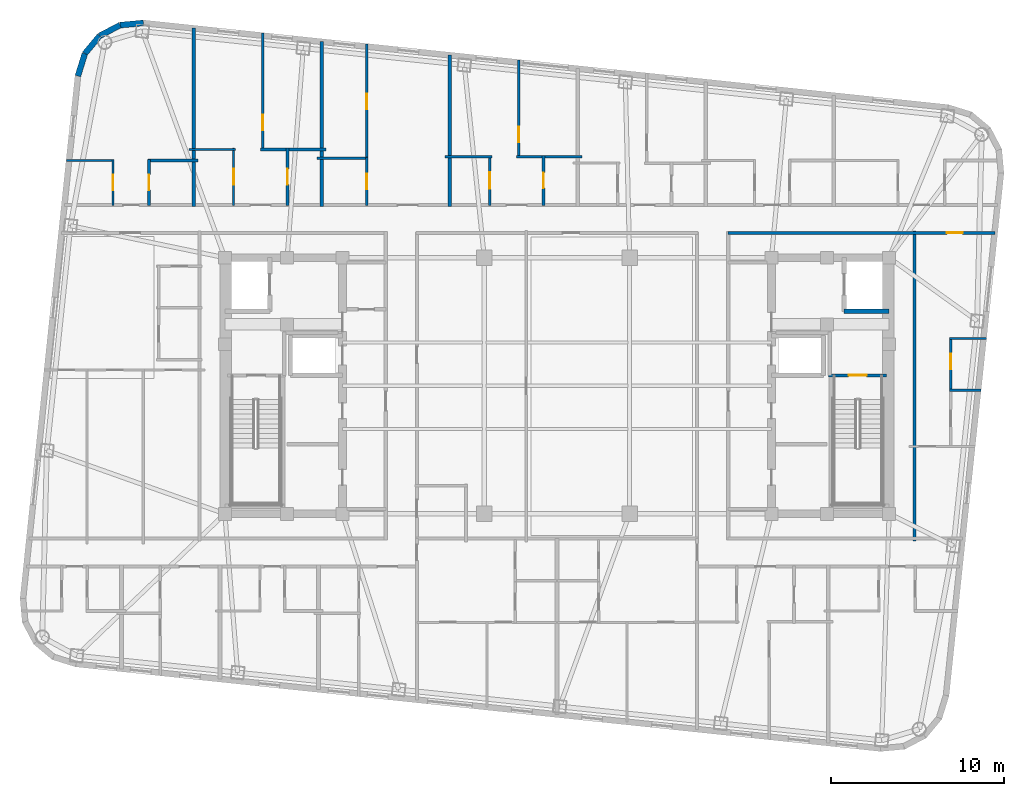
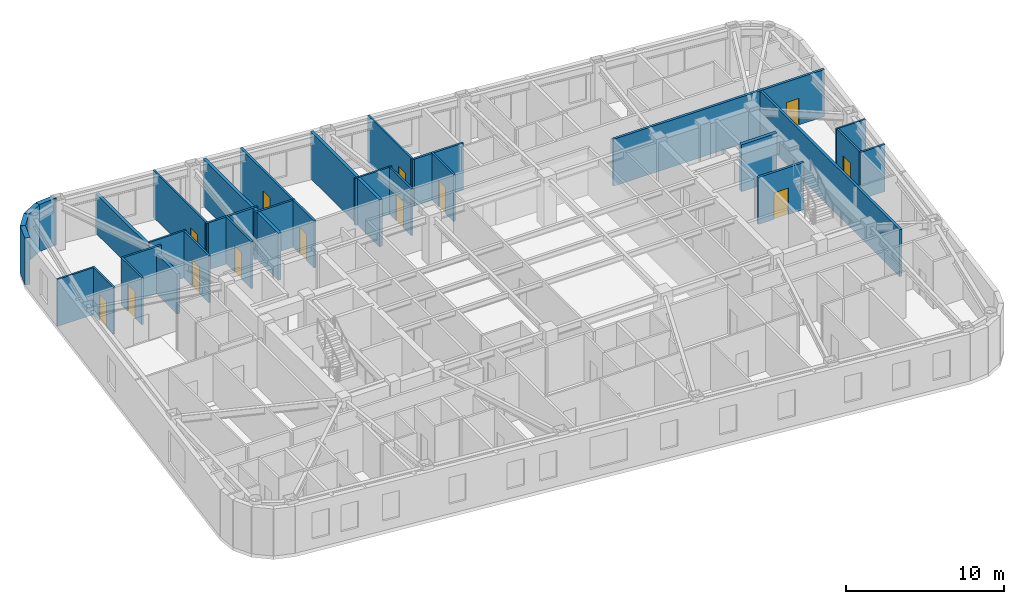
# One storey, part 7 of 11: 31 walls, 13 doors, 13 openings.
"""IFC4 building model written with IfcOpenShell, lengths in metres."""

from ifc_helpers import new_model, si_unit, direction, frame, frame_2d, origin, place, context, subcontext, project, spatial, rectangle, extrude, material, layer, layer_set, type_object, element, fill, save


model = new_model("IFC4")

# Units and contexts
model_context = context("Model", 3, precision=1e-05, world=origin(), true_north=direction((0.0, 1.0)))
body_context = subcontext(model_context, "Body", "Model", "MODEL_VIEW")
ifc_project = project(units=[si_unit("LENGTHUNIT", "METRE"), si_unit("AREAUNIT", "SQUARE_METRE"), si_unit("VOLUMEUNIT", "CUBIC_METRE"), si_unit("PLANEANGLEUNIT", "RADIAN"), si_unit("MASSUNIT", "GRAM", prefix="KILO")], contexts=[model_context])

# Site, building, storey
site_placement = place(None, origin())
site = spatial("IfcSite", under=ifc_project, at=site_placement, CompositionType="ELEMENT")
building_placement = place(site_placement, origin())
building = spatial("IfcBuilding", under=site, at=building_placement, Name="Voryun Gate Residences", CompositionType="ELEMENT")
storey_placement = place(building_placement, frame((0.0, 0.0, 302.89990234375)))
storey = spatial("IfcBuildingStorey", under=building, at=storey_placement, Name="L75", CompositionType="ELEMENT", Elevation=302.89990234375)

# Wall, opening, door
ifc_material_1 = material(Name="Gypsum acoustic fireboard")
ifc_layer_1 = layer(ifc_material_1, 0.179931640625, Name="W_CORR_RATED_180")
ifc_layer_set_1 = layer_set([ifc_layer_1], Name="Gypsum acoustic fireboard")
wall_type_1 = type_object("IfcWallType", Name="W_CORR_RATED_180", PredefinedType="PARTITIONING", material=ifc_layer_set_1)
wall_1_placement = place(storey_placement, frame((15.699951171875, 0.60009765625, 0.0), z_axis=(0.0, 0.0, 1.0), x_axis=(1.0, 0.0, 0.0)))
wall_1 = element("IfcWall", 1, at=wall_1_placement, inside=storey, type_object=wall_type_1, Name="Partition wall WP-L75-STV-E", PredefinedType="PARTITIONING", context=body_context, shape_type="SweptSolid", body=[
    extrude(rectangle(XDim=3.360107421875, YDim=0.179931640625, at=frame_2d((1.68017578125, 0.0))), origin(), (0.0, 0.0, 1.0), 3.635009765625),
])
opening_1_placement = place(wall_1_placement, frame((1.155029296875, 0.0, 0.0)))
opening_1 = element("IfcOpeningElement", 2, at=opening_1_placement, cuts=wall_1, Name="Opening D-FD60-1", PredefinedType="OPENING", context=body_context, shape_type="SweptSolid", body=[
    extrude(rectangle(XDim=1.050048828125, YDim=2.050048828125, at=frame_2d((0.52490234375, 1.02490234375))), frame((0.0, 0.099853515625, 0.0), z_axis=(0.0, -1.0, 0.0), x_axis=(1.0, 0.0, 0.0)), (0.0, 0.0, 1.0), 0.199951171875),
])
ifc_material_2 = material(Name="Painted steel fire door", Category="steel")
door_type_1 = type_object("IfcDoorType", Name="DR_FD60_STAIR_1050", OperationType="NOTDEFINED", PredefinedType="DOOR", material=ifc_material_2)
door_1_placement = place(opening_1_placement, origin())
door_1 = element("IfcDoor", 3, at=door_1_placement, inside=storey, type_object=door_type_1, Name="Door DR-L75-ST-E", OperationType="SINGLE_SWING_RIGHT", OverallHeight=2.050048828125, OverallWidth=1.050048828125, PredefinedType="DOOR", context=body_context, shape_type="SweptSolid", body=[
    extrude(rectangle(XDim=1.050048828125, YDim=2.050048828125, at=frame_2d((0.52490234375, 1.02490234375))), frame((0.0, 0.02490234375, 0.0), z_axis=(0.0, -1.0, 0.0), x_axis=(1.0, 0.0, 0.0)), (0.0, 0.0, 1.0), 0.050048828125),
])
fill(opening_1, door_1)

wall_2_placement = place(storey_placement, frame((9.8798828125, 8.840087890625, 0.0), z_axis=(0.0, 0.0, 1.0), x_axis=(1.0, 0.0, 0.0)))
wall_2 = element("IfcWall", 4, at=wall_2_placement, inside=storey, type_object=wall_type_1, Name="Partition wall WP-L75-CWING-EN", PredefinedType="PARTITIONING", context=body_context, shape_type="SweptSolid", body=[
    extrude(rectangle(XDim=15.427001953125, YDim=0.179931640625, at=frame_2d((7.71337890625, 0.0))), origin(), (0.0, 0.0, 1.0), 3.635009765625),
])
opening_2_placement = place(wall_2_placement, frame((12.662841796875, 0.0, 0.0)))
opening_2 = element("IfcOpeningElement", 5, at=opening_2_placement, cuts=wall_2, Name="Opening D-INT-2", PredefinedType="OPENING", context=body_context, shape_type="SweptSolid", body=[
    extrude(rectangle(XDim=0.89990234375, YDim=2.050048828125, at=frame_2d((0.449951171875, 1.02490234375))), frame((0.0, 0.099853515625, 0.0), z_axis=(0.0, -1.0, 0.0), x_axis=(1.0, 0.0, 0.0)), (0.0, 0.0, 1.0), 0.199951171875),
])
ifc_material_3 = material(Name="Architectural oak veneer")
door_type_2 = type_object("IfcDoorType", Name="DR_INT_BATH_900", OperationType="NOTDEFINED", PredefinedType="DOOR", material=ifc_material_3)
door_2_placement = place(opening_2_placement, origin())
door_2 = element("IfcDoor", 6, at=door_2_placement, inside=storey, type_object=door_type_2, Name="Door DR-L75-EE1N", OperationType="SINGLE_SWING_LEFT", OverallHeight=2.050048828125, OverallWidth=0.89990234375, PredefinedType="DOOR", context=body_context, shape_type="SweptSolid", body=[
    extrude(rectangle(XDim=0.89990234375, YDim=2.050048828125, at=frame_2d((0.449951171875, 1.02490234375))), frame((0.0, 0.02490234375, 0.0), z_axis=(0.0, -1.0, 0.0), x_axis=(1.0, 0.0, 0.0)), (0.0, 0.0, 1.0), 0.050048828125),
])
fill(opening_2, door_2)

# Walls
wall_3_placement = place(storey_placement, frame((20.669921875, -8.9599609375, 0.0), z_axis=(0.0, 0.0, 1.0), x_axis=(0.0, 1.0, 0.0)))
element("IfcWall", 7, at=wall_3_placement, inside=storey, type_object=wall_type_1, Name="Partition wall WP-L75-ECOR", PredefinedType="PARTITIONING", context=body_context, shape_type="SweptSolid", body=[
    extrude(rectangle(XDim=17.919921875, YDim=0.179931640625, at=frame_2d((8.9599609375, 0.0))), origin(), (0.0, 0.0, 1.0), 3.635009765625),
])
ifc_material_4 = material(Name="Charcoal terracotta masonry", Category="masonry")
ifc_layer_2 = layer(ifc_material_4, 0.340087890625, Name="W_EXT_TERRACOTTA_340")
ifc_layer_set_2 = layer_set([ifc_layer_2], Name="Charcoal terracotta masonry")
wall_type_2 = type_object("IfcWallType", Name="W_EXT_TERRACOTTA_340", PredefinedType="ELEMENTEDWALL", material=ifc_layer_set_2)
wall_4_placement = place(storey_placement, frame((-27.69580078125, 17.904541015625, 0.0), z_axis=(0.0, 0.0, 1.0), x_axis=(0.296416228123, 0.955058856671, 0.0)))
element("IfcWall", 8, at=wall_4_placement, inside=storey, type_object=wall_type_2, Name="Exterior wall WEXT-L75-07", PredefinedType="ELEMENTEDWALL", context=body_context, shape_type="SweptSolid", body=[
    extrude(rectangle(XDim=1.35400390625, YDim=0.340087890625, at=frame_2d((0.677001953125, 0.0))), origin(), (0.0, 0.0, 1.0), 3.635009765625),
])
wall_5_placement = place(storey_placement, frame((-27.29443359375, 19.19775390625, 0.0), z_axis=(0.0, 0.0, 1.0), x_axis=(0.639501603217, 0.768789762863, 0.0)))
element("IfcWall", 9, at=wall_5_placement, inside=storey, type_object=wall_type_2, Name="Exterior wall WEXT-L75-08", PredefinedType="ELEMENTEDWALL", context=body_context, shape_type="SweptSolid", body=[
    extrude(rectangle(XDim=1.3369140625, YDim=0.340087890625, at=frame_2d((0.66845703125, 0.0))), origin(), (0.0, 0.0, 1.0), 3.635009765625),
])
wall_6_placement = place(storey_placement, frame((-26.439453125, 20.2255859375, 0.0), z_axis=(0.0, 0.0, 1.0), x_axis=(0.884922182678, 0.465738908193, 0.0)))
element("IfcWall", 10, at=wall_6_placement, inside=storey, type_object=wall_type_2, Name="Exterior wall WEXT-L75-09", PredefinedType="ELEMENTEDWALL", context=body_context, shape_type="SweptSolid", body=[
    extrude(rectangle(XDim=1.337158203125, YDim=0.340087890625, at=frame_2d((0.66845703125, 0.0))), origin(), (0.0, 0.0, 1.0), 3.635009765625),
])
wall_7_placement = place(storey_placement, frame((-25.256103515625, 20.848388671875, 0.0), z_axis=(0.0, 0.0, 1.0), x_axis=(0.995813013343, 0.091413579172, 0.0)))
element("IfcWall", 11, at=wall_7_placement, inside=storey, type_object=wall_type_2, Name="Exterior wall WEXT-L75-10", PredefinedType="ELEMENTEDWALL", context=body_context, shape_type="SweptSolid", body=[
    extrude(rectangle(XDim=1.35400390625, YDim=0.340087890625, at=frame_2d((0.677001953125, 0.0))), origin(), (0.0, 0.0, 1.0), 3.635009765625),
])
ifc_material_5 = material(Name="Concrete C40/50", Category="concrete")
ifc_layer_3 = layer(ifc_material_5, 0.219970703125, Name="W_PARTY_ACOUSTIC_220")
ifc_layer_set_3 = layer_set([ifc_layer_3], Name="Concrete C40/50")
wall_type_3 = type_object("IfcWallType", Name="W_PARTY_ACOUSTIC_220", PredefinedType="PARTITIONING", material=ifc_layer_set_3)
wall_8_placement = place(storey_placement, frame((-21.0, 10.3701171875, 0.0), z_axis=(0.0, 0.0, 1.0), x_axis=(0.0, 1.0, 0.0)))
element("IfcWall", 12, at=wall_8_placement, inside=storey, type_object=wall_type_3, Name="Partition wall WP-L75-NPTY-1", PredefinedType="PARTITIONING", context=body_context, shape_type="SweptSolid", body=[
    extrude(rectangle(XDim=10.29638671875, YDim=0.219970703125, at=frame_2d((5.148193359375, 0.0))), origin(), (0.0, 0.0, 1.0), 3.0751953125),
])
wall_9_placement = place(storey_placement, frame((-13.60009765625, 10.3701171875, 0.0), z_axis=(0.0, 0.0, 1.0), x_axis=(0.0, 1.0, 0.0)))
element("IfcWall", 13, at=wall_9_placement, inside=storey, type_object=wall_type_3, Name="Partition wall WP-L75-NPTY-2", PredefinedType="PARTITIONING", context=body_context, shape_type="SweptSolid", body=[
    extrude(rectangle(XDim=9.518798828125, YDim=0.219970703125, at=frame_2d((4.75927734375, 0.0))), origin(), (0.0, 0.0, 1.0), 3.635009765625),
])
wall_10_placement = place(storey_placement, frame((-6.199951171875, 10.3701171875, 0.0), z_axis=(0.0, 0.0, 1.0), x_axis=(0.0, 1.0, 0.0)))
element("IfcWall", 14, at=wall_10_placement, inside=storey, type_object=wall_type_3, Name="Partition wall WP-L75-NPTY-3", PredefinedType="PARTITIONING", context=body_context, shape_type="SweptSolid", body=[
    extrude(rectangle(XDim=8.740966796875, YDim=0.219970703125, at=frame_2d((4.37060546875, 0.0))), origin(), (0.0, 0.0, 1.0), 3.635009765625),
])
ifc_material_6 = material(Name="Concrete C50/60", Category="concrete")
ifc_layer_4 = layer(ifc_material_6, 0.25, Name="W_SHAFT_RC250")
ifc_layer_set_4 = layer_set([ifc_layer_4], Name="Concrete C50/60")
wall_type_4 = type_object("IfcWallType", Name="W_SHAFT_RC250", PredefinedType="SOLIDWALL", material=ifc_layer_set_4)
wall_11_placement = place(storey_placement, frame((16.60009765625, 4.300048828125, 0.0), z_axis=(0.0, 0.0, 1.0), x_axis=(1.0, 0.0, 0.0)))
element("IfcWall", 15, at=wall_11_placement, inside=storey, type_object=wall_type_4, Name="Lift shaft wall WSH-L75-EL-FF-E1-S", PredefinedType="SOLIDWALL", context=body_context, shape_type="SweptSolid", body=[
    extrude(rectangle(XDim=2.599853515625, YDim=0.25, at=frame_2d((1.2998046875, 0.0))), origin(), (0.0, 0.0, 1.0), 3.635009765625),
])

# Wall, opening, door
ifc_material_7 = material(Name="Gypsum acoustic partition")
ifc_layer_5 = layer(ifc_material_7, 0.125, Name="W_UNIT_PART_125")
ifc_layer_set_5 = layer_set([ifc_layer_5], Name="Gypsum acoustic partition")
wall_type_5 = type_object("IfcWallType", Name="W_UNIT_PART_125", PredefinedType="PARTITIONING", material=ifc_layer_set_5)
wall_12_placement = place(storey_placement, frame((-25.6630859375, 10.429931640625, 0.0), z_axis=(0.0, 0.0, 1.0), x_axis=(0.0, 1.0, 0.0)))
wall_12 = element("IfcWall", 16, at=wall_12_placement, inside=storey, type_object=wall_type_5, Name="Partition wall WP-L75-N1-CVK", PredefinedType="PARTITIONING", context=body_context, shape_type="SweptSolid", body=[
    extrude(rectangle(XDim=2.650146484375, YDim=0.125, at=frame_2d((1.3251953125, 0.0))), origin(), (0.0, 0.0, 1.0), 3.635009765625),
])
opening_3_placement = place(wall_12_placement, frame((0.875, 0.0, 0.0)))
opening_3 = element("IfcOpeningElement", 17, at=opening_3_placement, cuts=wall_12, Name="Opening D-INT-2", PredefinedType="OPENING", context=body_context, shape_type="SweptSolid", body=[
    extrude(rectangle(XDim=0.89990234375, YDim=2.050048828125, at=frame_2d((0.449951171875, 1.02490234375))), frame((0.0, 0.072509765625, 0.0), z_axis=(0.0, -1.0, 0.0), x_axis=(1.0, 0.0, 0.0)), (0.0, 0.0, 1.0), 0.14501953125),
])
door_3_placement = place(opening_3_placement, origin())
door_3 = element("IfcDoor", 18, at=door_3_placement, inside=storey, type_object=door_type_2, Name="Door DR-L75-N1-DK", OperationType="SINGLE_SWING_LEFT", OverallHeight=2.050048828125, OverallWidth=0.89990234375, PredefinedType="DOOR", context=body_context, shape_type="SweptSolid", body=[
    extrude(rectangle(XDim=0.89990234375, YDim=2.050048828125, at=frame_2d((0.449951171875, 1.02490234375))), frame((0.0, 0.02490234375, 0.0), z_axis=(0.0, -1.0, 0.0), x_axis=(1.0, 0.0, 0.0)), (0.0, 0.0, 1.0), 0.050048828125),
])
fill(opening_3, door_3)

# Wall
wall_13_placement = place(storey_placement, frame((-28.360107421875, 13.02001953125, 0.0), z_axis=(0.0, 0.0, 1.0), x_axis=(1.0, 0.0, 0.0)))
element("IfcWall", 19, at=wall_13_placement, inside=storey, type_object=wall_type_5, Name="Partition wall WP-L75-N1-CHK", PredefinedType="PARTITIONING", context=body_context, shape_type="SweptSolid", body=[
    extrude(rectangle(XDim=2.757080078125, YDim=0.125, at=frame_2d((1.37841796875, 0.0))), origin(), (0.0, 0.0, 1.0), 3.635009765625),
])

# Wall, opening, door
wall_14_placement = place(storey_placement, frame((-17.010009765625, 13.576904296875, 0.0), z_axis=(0.0, 0.0, 1.0), x_axis=(0.0, 1.0, 0.0)))
wall_14 = element("IfcWall", 20, at=wall_14_placement, inside=storey, type_object=wall_type_5, Name="Partition wall WP-L75-N2-OVR", PredefinedType="PARTITIONING", context=body_context, shape_type="SweptSolid", body=[
    extrude(rectangle(XDim=6.821044921875, YDim=0.125, at=frame_2d((3.41064453125, 0.0))), origin(), (0.0, 0.0, 1.0), 3.635009765625),
])
opening_4_placement = place(wall_14_placement, frame((1.18701171875, 0.0, 0.0)))
opening_4 = element("IfcOpeningElement", 21, at=opening_4_placement, cuts=wall_14, Name="Opening D-INT-2", PredefinedType="OPENING", context=body_context, shape_type="SweptSolid", body=[
    extrude(rectangle(XDim=0.89990234375, YDim=2.050048828125, at=frame_2d((0.449951171875, 1.02490234375))), frame((0.0, 0.072509765625, 0.0), z_axis=(0.0, -1.0, 0.0), x_axis=(1.0, 0.0, 0.0)), (0.0, 0.0, 1.0), 0.14501953125),
])
door_4_placement = place(opening_4_placement, origin())
door_4 = element("IfcDoor", 22, at=door_4_placement, inside=storey, type_object=door_type_2, Name="Door DR-L75-N2-DMB", OperationType="SINGLE_SWING_RIGHT", OverallHeight=2.050048828125, OverallWidth=0.89990234375, PredefinedType="DOOR", context=body_context, shape_type="SweptSolid", body=[
    extrude(rectangle(XDim=0.89990234375, YDim=2.050048828125, at=frame_2d((0.449951171875, 1.02490234375))), frame((0.0, 0.02490234375, 0.0), z_axis=(0.0, -1.0, 0.0), x_axis=(1.0, 0.0, 0.0)), (0.0, 0.0, 1.0), 0.050048828125),
])
fill(opening_4, door_4)

wall_15_placement = place(storey_placement, frame((-18.68994140625, 10.429931640625, 0.0), z_axis=(0.0, 0.0, 1.0), x_axis=(0.0, 1.0, 0.0)))
wall_15 = element("IfcWall", 23, at=wall_15_placement, inside=storey, type_object=wall_type_5, Name="Partition wall WP-L75-N2-IVK", PredefinedType="PARTITIONING", context=body_context, shape_type="SweptSolid", body=[
    extrude(rectangle(XDim=3.30712890625, YDim=0.125, at=frame_2d((1.653564453125, 0.0))), origin(), (0.0, 0.0, 1.0), 3.635009765625),
])
opening_5_placement = place(wall_15_placement, frame((1.178466796875, 0.0, 0.0)))
opening_5 = element("IfcOpeningElement", 24, at=opening_5_placement, cuts=wall_15, Name="Opening D-INT-1", PredefinedType="OPENING", context=body_context, shape_type="SweptSolid", body=[
    extrude(rectangle(XDim=0.949951171875, YDim=2.050048828125, at=frame_2d((0.47509765625, 1.02490234375))), frame((0.0, 0.072509765625, 0.0), z_axis=(0.0, -1.0, 0.0), x_axis=(1.0, 0.0, 0.0)), (0.0, 0.0, 1.0), 0.14501953125),
])
ifc_material_8 = material(Name="Architectural oak veneer")
door_type_3 = type_object("IfcDoorType", Name="DR_INT_ROOM_950", OperationType="NOTDEFINED", PredefinedType="DOOR", material=ifc_material_8)
door_5_placement = place(opening_5_placement, origin())
door_5 = element("IfcDoor", 25, at=door_5_placement, inside=storey, type_object=door_type_3, Name="Door DR-L75-N2-DK", OperationType="SINGLE_SWING_LEFT", OverallHeight=2.050048828125, OverallWidth=0.949951171875, PredefinedType="DOOR", context=body_context, shape_type="SweptSolid", body=[
    extrude(rectangle(XDim=0.949951171875, YDim=2.050048828125, at=frame_2d((0.47509765625, 1.02490234375))), frame((0.0, 0.02490234375, 0.0), z_axis=(0.0, -1.0, 0.0), x_axis=(1.0, 0.0, 0.0)), (0.0, 0.0, 1.0), 0.050048828125),
])
fill(opening_5, door_5)

# Wall
wall_16_placement = place(storey_placement, frame((-21.260009765625, 13.656982421875, 0.0), z_axis=(0.0, 0.0, 1.0), x_axis=(1.0, 0.0, 0.0)))
element("IfcWall", 26, at=wall_16_placement, inside=storey, type_object=wall_type_5, Name="Partition wall WP-L75-N2-HZK", PredefinedType="PARTITIONING", context=body_context, shape_type="SweptSolid", body=[
    extrude(rectangle(XDim=2.68994140625, YDim=0.125, at=frame_2d((1.344970703125, 0.0))), origin(), (0.0, 0.0, 1.0), 3.635009765625),
])

# Wall, opening, door
wall_17_placement = place(storey_placement, frame((-2.2099609375, 13.155029296875, 0.0), z_axis=(0.0, 0.0, 1.0), x_axis=(0.0, 1.0, 0.0)))
wall_17 = element("IfcWall", 27, at=wall_17_placement, inside=storey, type_object=wall_type_5, Name="Partition wall WP-L75-N4-OVR", PredefinedType="PARTITIONING", context=body_context, shape_type="SweptSolid", body=[
    extrude(rectangle(XDim=5.6875, YDim=0.125, at=frame_2d((2.84375, 0.0))), origin(), (0.0, 0.0, 1.0), 3.635009765625),
])
opening_6_placement = place(wall_17_placement, frame((0.9150390625, 0.0, 0.0)))
opening_6 = element("IfcOpeningElement", 28, at=opening_6_placement, cuts=wall_17, Name="Opening D-INT-2", PredefinedType="OPENING", context=body_context, shape_type="SweptSolid", body=[
    extrude(rectangle(XDim=0.89990234375, YDim=2.050048828125, at=frame_2d((0.449951171875, 1.02490234375))), frame((0.0, 0.072509765625, 0.0), z_axis=(0.0, -1.0, 0.0), x_axis=(1.0, 0.0, 0.0)), (0.0, 0.0, 1.0), 0.14501953125),
])
door_6_placement = place(opening_6_placement, origin())
door_6 = element("IfcDoor", 29, at=door_6_placement, inside=storey, type_object=door_type_2, Name="Door DR-L75-N4-DMB", OperationType="SINGLE_SWING_RIGHT", OverallHeight=2.050048828125, OverallWidth=0.89990234375, PredefinedType="DOOR", context=body_context, shape_type="SweptSolid", body=[
    extrude(rectangle(XDim=0.89990234375, YDim=2.050048828125, at=frame_2d((0.449951171875, 1.02490234375))), frame((0.0, 0.02490234375, 0.0), z_axis=(0.0, -1.0, 0.0), x_axis=(1.0, 0.0, 0.0)), (0.0, 0.0, 1.0), 0.050048828125),
])
fill(opening_6, door_6)

wall_18_placement = place(storey_placement, frame((-3.889892578125, 10.429931640625, 0.0), z_axis=(0.0, 0.0, 1.0), x_axis=(0.0, 1.0, 0.0)))
wall_18 = element("IfcWall", 30, at=wall_18_placement, inside=storey, type_object=wall_type_5, Name="Partition wall WP-L75-N4-IVK", PredefinedType="PARTITIONING", context=body_context, shape_type="SweptSolid", body=[
    extrude(rectangle(XDim=2.885009765625, YDim=0.125, at=frame_2d((1.4423828125, 0.0))), origin(), (0.0, 0.0, 1.0), 3.635009765625),
])
opening_7_placement = place(wall_18_placement, frame((0.967529296875, 0.0, 0.0)))
opening_7 = element("IfcOpeningElement", 31, at=opening_7_placement, cuts=wall_18, Name="Opening D-INT-1", PredefinedType="OPENING", context=body_context, shape_type="SweptSolid", body=[
    extrude(rectangle(XDim=0.949951171875, YDim=2.050048828125, at=frame_2d((0.47509765625, 1.02490234375))), frame((0.0, 0.072509765625, 0.0), z_axis=(0.0, -1.0, 0.0), x_axis=(1.0, 0.0, 0.0)), (0.0, 0.0, 1.0), 0.14501953125),
])
door_7_placement = place(opening_7_placement, origin())
door_7 = element("IfcDoor", 32, at=door_7_placement, inside=storey, type_object=door_type_3, Name="Door DR-L75-N4-DK", OperationType="SINGLE_SWING_LEFT", OverallHeight=2.050048828125, OverallWidth=0.949951171875, PredefinedType="DOOR", context=body_context, shape_type="SweptSolid", body=[
    extrude(rectangle(XDim=0.949951171875, YDim=2.050048828125, at=frame_2d((0.47509765625, 1.02490234375))), frame((0.0, 0.02490234375, 0.0), z_axis=(0.0, -1.0, 0.0), x_axis=(1.0, 0.0, 0.0)), (0.0, 0.0, 1.0), 0.050048828125),
])
fill(opening_7, door_7)

# Walls
wall_19_placement = place(storey_placement, frame((-6.4599609375, 13.235107421875, 0.0), z_axis=(0.0, 0.0, 1.0), x_axis=(1.0, 0.0, 0.0)))
element("IfcWall", 33, at=wall_19_placement, inside=storey, type_object=wall_type_5, Name="Partition wall WP-L75-N4-HZK", PredefinedType="PARTITIONING", context=body_context, shape_type="SweptSolid", body=[
    extrude(rectangle(XDim=2.68994140625, YDim=0.125, at=frame_2d((1.344970703125, 0.0))), origin(), (0.0, 0.0, 1.0), 3.635009765625),
])
wall_20_placement = place(storey_placement, frame((22.679931640625, 2.739990234375, 0.0), z_axis=(0.0, 0.0, 1.0), x_axis=(1.0, 0.0, 0.0)))
element("IfcWall", 34, at=wall_20_placement, inside=storey, type_object=wall_type_5, Name="Partition wall WP-L75-E1-HZ1", PredefinedType="PARTITIONING", context=body_context, shape_type="SweptSolid", body=[
    extrude(rectangle(XDim=2.13671875, YDim=0.125, at=frame_2d((1.068359375, 0.0))), origin(), (0.0, 0.0, 1.0), 3.635009765625),
])

# Wall, opening, door
ifc_material_9 = material(Name="Gypsum moisture-resistant partition")
ifc_layer_6 = layer(ifc_material_9, 0.14990234375, Name="W_WET_PLUMB_150")
ifc_layer_set_6 = layer_set([ifc_layer_6], Name="Gypsum moisture-resistant partition")
wall_type_6 = type_object("IfcWallType", Name="W_WET_PLUMB_150", PredefinedType="PLUMBINGWALL", material=ifc_layer_set_6)
wall_21_placement = place(storey_placement, frame((-23.583984375, 10.429931640625, 0.0), z_axis=(0.0, 0.0, 1.0), x_axis=(0.0, 1.0, 0.0)))
wall_21 = element("IfcWall", 35, at=wall_21_placement, inside=storey, type_object=wall_type_6, Name="Partition wall WP-L75-N1-CVB", PredefinedType="PLUMBINGWALL", context=body_context, shape_type="SweptSolid", body=[
    extrude(rectangle(XDim=2.650146484375, YDim=0.14990234375, at=frame_2d((1.3251953125, 0.0))), origin(), (0.0, 0.0, 1.0), 3.635009765625),
])
opening_8_placement = place(wall_21_placement, frame((0.875, 0.0, 0.0)))
opening_8 = element("IfcOpeningElement", 36, at=opening_8_placement, cuts=wall_21, Name="Opening D-INT-2", PredefinedType="OPENING", context=body_context, shape_type="SweptSolid", body=[
    extrude(rectangle(XDim=0.89990234375, YDim=2.050048828125, at=frame_2d((0.449951171875, 1.02490234375))), frame((0.0, 0.0849609375, 0.0), z_axis=(0.0, -1.0, 0.0), x_axis=(1.0, 0.0, 0.0)), (0.0, 0.0, 1.0), 0.169921875),
])
door_8_placement = place(opening_8_placement, origin())
door_8 = element("IfcDoor", 37, at=door_8_placement, inside=storey, type_object=door_type_2, Name="Door DR-L75-N1-DB", OperationType="SINGLE_SWING_RIGHT", OverallHeight=2.050048828125, OverallWidth=0.89990234375, PredefinedType="DOOR", context=body_context, shape_type="SweptSolid", body=[
    extrude(rectangle(XDim=0.89990234375, YDim=2.050048828125, at=frame_2d((0.449951171875, 1.02490234375))), frame((0.0, 0.02490234375, 0.0), z_axis=(0.0, -1.0, 0.0), x_axis=(1.0, 0.0, 0.0)), (0.0, 0.0, 1.0), 0.050048828125),
])
fill(opening_8, door_8)

# Walls
wall_22_placement = place(storey_placement, frame((-23.64404296875, 13.02001953125, 0.0), z_axis=(0.0, 0.0, 1.0), x_axis=(1.0, 0.0, 0.0)))
element("IfcWall", 38, at=wall_22_placement, inside=storey, type_object=wall_type_6, Name="Partition wall WP-L75-N1-CHB", PredefinedType="PLUMBINGWALL", context=body_context, shape_type="SweptSolid", body=[
    extrude(rectangle(XDim=2.904052734375, YDim=0.14990234375, at=frame_2d((1.4521484375, 0.0))), origin(), (0.0, 0.0, 1.0), 3.635009765625),
])
wall_23_placement = place(storey_placement, frame((-17.1298828125, 13.656982421875, 0.0), z_axis=(0.0, 0.0, 1.0), x_axis=(1.0, 0.0, 0.0)))
element("IfcWall", 39, at=wall_23_placement, inside=storey, type_object=wall_type_6, Name="Partition wall WP-L75-N2-HZB", PredefinedType="PLUMBINGWALL", context=body_context, shape_type="SweptSolid", body=[
    extrude(rectangle(XDim=3.789794921875, YDim=0.14990234375, at=frame_2d((1.89501953125, 0.0))), origin(), (0.0, 0.0, 1.0), 3.635009765625),
])

# Wall, opening, door
wall_24_placement = place(storey_placement, frame((-15.580078125, 10.429931640625, 0.0), z_axis=(0.0, 0.0, 1.0), x_axis=(0.0, 1.0, 0.0)))
wall_24 = element("IfcWall", 40, at=wall_24_placement, inside=storey, type_object=wall_type_6, Name="Partition wall WP-L75-N2-IVB", PredefinedType="PLUMBINGWALL", context=body_context, shape_type="SweptSolid", body=[
    extrude(rectangle(XDim=3.30712890625, YDim=0.14990234375, at=frame_2d((1.653564453125, 0.0))), origin(), (0.0, 0.0, 1.0), 3.635009765625),
])
opening_9_placement = place(wall_24_placement, frame((1.20361328125, 0.0, 0.0)))
opening_9 = element("IfcOpeningElement", 41, at=opening_9_placement, cuts=wall_24, Name="Opening D-INT-2", PredefinedType="OPENING", context=body_context, shape_type="SweptSolid", body=[
    extrude(rectangle(XDim=0.89990234375, YDim=2.050048828125, at=frame_2d((0.449951171875, 1.02490234375))), frame((0.0, 0.0849609375, 0.0), z_axis=(0.0, -1.0, 0.0), x_axis=(1.0, 0.0, 0.0)), (0.0, 0.0, 1.0), 0.169921875),
])
door_9_placement = place(opening_9_placement, origin())
door_9 = element("IfcDoor", 42, at=door_9_placement, inside=storey, type_object=door_type_2, Name="Door DR-L75-N2-DB", OperationType="SINGLE_SWING_RIGHT", OverallHeight=2.050048828125, OverallWidth=0.89990234375, PredefinedType="DOOR", context=body_context, shape_type="SweptSolid", body=[
    extrude(rectangle(XDim=0.89990234375, YDim=2.050048828125, at=frame_2d((0.449951171875, 1.02490234375))), frame((0.0, 0.02490234375, 0.0), z_axis=(0.0, -1.0, 0.0), x_axis=(1.0, 0.0, 0.0)), (0.0, 0.0, 1.0), 0.050048828125),
])
fill(opening_9, door_9)

# Wall
wall_25_placement = place(storey_placement, frame((-13.860107421875, 13.14990234375, 0.0), z_axis=(0.0, 0.0, 1.0), x_axis=(1.0, 0.0, 0.0)))
element("IfcWall", 43, at=wall_25_placement, inside=storey, type_object=wall_type_6, Name="Partition wall WP-L75-N3-SKB", PredefinedType="PLUMBINGWALL", context=body_context, shape_type="SweptSolid", body=[
    extrude(rectangle(XDim=2.9501953125, YDim=0.14990234375, at=frame_2d((1.47509765625, 0.0))), origin(), (0.0, 0.0, 1.0), 3.635009765625),
])

# Wall, opening, door
wall_26_placement = place(storey_placement, frame((-10.989990234375, 10.429931640625, 0.0), z_axis=(0.0, 0.0, 1.0), x_axis=(0.0, 1.0, 0.0)))
wall_26 = element("IfcWall", 44, at=wall_26_placement, inside=storey, type_object=wall_type_6, Name="Partition wall WP-L75-N3-SVT1", PredefinedType="PLUMBINGWALL", context=body_context, shape_type="SweptSolid", body=[
    extrude(rectangle(XDim=2.760009765625, YDim=0.14990234375, at=frame_2d((1.3798828125, 0.0))), origin(), (0.0, 0.0, 1.0), 3.635009765625),
])
opening_10_placement = place(wall_26_placement, frame((0.929931640625, 0.0, 0.0)))
opening_10 = element("IfcOpeningElement", 45, at=opening_10_placement, cuts=wall_26, Name="Opening D-INT-2", PredefinedType="OPENING", context=body_context, shape_type="SweptSolid", body=[
    extrude(rectangle(XDim=0.89990234375, YDim=2.050048828125, at=frame_2d((0.449951171875, 1.02490234375))), frame((0.0, 0.0849609375, 0.0), z_axis=(0.0, -1.0, 0.0), x_axis=(1.0, 0.0, 0.0)), (0.0, 0.0, 1.0), 0.169921875),
])
door_10_placement = place(opening_10_placement, origin())
door_10 = element("IfcDoor", 46, at=door_10_placement, inside=storey, type_object=door_type_2, Name="Door DR-L75-N3-DB", OperationType="SINGLE_SWING_LEFT", OverallHeight=2.050048828125, OverallWidth=0.89990234375, PredefinedType="DOOR", context=body_context, shape_type="SweptSolid", body=[
    extrude(rectangle(XDim=0.89990234375, YDim=2.050048828125, at=frame_2d((0.449951171875, 1.02490234375))), frame((0.0, 0.02490234375, 0.0), z_axis=(0.0, -1.0, 0.0), x_axis=(1.0, 0.0, 0.0)), (0.0, 0.0, 1.0), 0.050048828125),
])
fill(opening_10, door_10)

wall_27_placement = place(storey_placement, frame((-10.989990234375, 13.110107421875, 0.0), z_axis=(0.0, 0.0, 1.0), x_axis=(0.0, 1.0, 0.0)))
wall_27 = element("IfcWall", 47, at=wall_27_placement, inside=storey, type_object=wall_type_6, Name="Partition wall WP-L75-N3-SVT2", PredefinedType="PLUMBINGWALL", context=body_context, shape_type="SweptSolid", body=[
    extrude(rectangle(XDim=6.6552734375, YDim=0.14990234375, at=frame_2d((3.32763671875, 0.0))), origin(), (0.0, 0.0, 1.0), 3.635009765625),
])
opening_11_placement = place(wall_27_placement, frame((2.877685546875, 0.0, 0.0)))
opening_11 = element("IfcOpeningElement", 48, at=opening_11_placement, cuts=wall_27, Name="Opening D-INT-2", PredefinedType="OPENING", context=body_context, shape_type="SweptSolid", body=[
    extrude(rectangle(XDim=0.89990234375, YDim=2.050048828125, at=frame_2d((0.449951171875, 1.02490234375))), frame((0.0, 0.0849609375, 0.0), z_axis=(0.0, -1.0, 0.0), x_axis=(1.0, 0.0, 0.0)), (0.0, 0.0, 1.0), 0.169921875),
])
door_11_placement = place(opening_11_placement, origin())
door_11 = element("IfcDoor", 49, at=door_11_placement, inside=storey, type_object=door_type_2, Name="Door DR-L75-N3-DK", OperationType="SINGLE_SWING_RIGHT", OverallHeight=2.050048828125, OverallWidth=0.89990234375, PredefinedType="DOOR", context=body_context, shape_type="SweptSolid", body=[
    extrude(rectangle(XDim=0.89990234375, YDim=2.050048828125, at=frame_2d((0.449951171875, 1.02490234375))), frame((0.0, 0.02490234375, 0.0), z_axis=(0.0, -1.0, 0.0), x_axis=(1.0, 0.0, 0.0)), (0.0, 0.0, 1.0), 0.050048828125),
])
fill(opening_11, door_11)

# Wall
wall_28_placement = place(storey_placement, frame((-2.330078125, 13.235107421875, 0.0), z_axis=(0.0, 0.0, 1.0), x_axis=(1.0, 0.0, 0.0)))
element("IfcWall", 50, at=wall_28_placement, inside=storey, type_object=wall_type_6, Name="Partition wall WP-L75-N4-HZB", PredefinedType="PLUMBINGWALL", context=body_context, shape_type="SweptSolid", body=[
    extrude(rectangle(XDim=3.7900390625, YDim=0.14990234375, at=frame_2d((1.89501953125, 0.0))), origin(), (0.0, 0.0, 1.0), 3.635009765625),
])

# Wall, opening, door
wall_29_placement = place(storey_placement, frame((-0.780029296875, 10.429931640625, 0.0), z_axis=(0.0, 0.0, 1.0), x_axis=(0.0, 1.0, 0.0)))
wall_29 = element("IfcWall", 51, at=wall_29_placement, inside=storey, type_object=wall_type_6, Name="Partition wall WP-L75-N4-IVB", PredefinedType="PLUMBINGWALL", context=body_context, shape_type="SweptSolid", body=[
    extrude(rectangle(XDim=2.885009765625, YDim=0.14990234375, at=frame_2d((1.4423828125, 0.0))), origin(), (0.0, 0.0, 1.0), 3.635009765625),
])
opening_12_placement = place(wall_29_placement, frame((0.992431640625, 0.0, 0.0)))
opening_12 = element("IfcOpeningElement", 52, at=opening_12_placement, cuts=wall_29, Name="Opening D-INT-2", PredefinedType="OPENING", context=body_context, shape_type="SweptSolid", body=[
    extrude(rectangle(XDim=0.89990234375, YDim=2.050048828125, at=frame_2d((0.449951171875, 1.02490234375))), frame((0.0, 0.0849609375, 0.0), z_axis=(0.0, -1.0, 0.0), x_axis=(1.0, 0.0, 0.0)), (0.0, 0.0, 1.0), 0.169921875),
])
door_12_placement = place(opening_12_placement, origin())
door_12 = element("IfcDoor", 53, at=door_12_placement, inside=storey, type_object=door_type_2, Name="Door DR-L75-N4-DB", OperationType="SINGLE_SWING_RIGHT", OverallHeight=2.050048828125, OverallWidth=0.89990234375, PredefinedType="DOOR", context=body_context, shape_type="SweptSolid", body=[
    extrude(rectangle(XDim=0.89990234375, YDim=2.050048828125, at=frame_2d((0.449951171875, 1.02490234375))), frame((0.0, 0.02490234375, 0.0), z_axis=(0.0, -1.0, 0.0), x_axis=(1.0, 0.0, 0.0)), (0.0, 0.0, 1.0), 0.050048828125),
])
fill(opening_12, door_12)

# Wall
wall_30_placement = place(storey_placement, frame((22.679931640625, -0.260009765625, 0.0), z_axis=(0.0, 0.0, 1.0), x_axis=(1.0, 0.0, 0.0)))
element("IfcWall", 54, at=wall_30_placement, inside=storey, type_object=wall_type_6, Name="Partition wall WP-L75-E1-HZ2", PredefinedType="PLUMBINGWALL", context=body_context, shape_type="SweptSolid", body=[
    extrude(rectangle(XDim=1.8212890625, YDim=0.14990234375, at=frame_2d((0.91064453125, 0.0))), origin(), (0.0, 0.0, 1.0), 3.635009765625),
])

# Wall, opening, door
wall_31_placement = place(storey_placement, frame((22.760009765625, -0.300048828125, 0.0), z_axis=(0.0, 0.0, 1.0), x_axis=(0.0, 1.0, 0.0)))
wall_31 = element("IfcWall", 55, at=wall_31_placement, inside=storey, type_object=wall_type_6, Name="Partition wall WP-L75-E1-VKB2", PredefinedType="PLUMBINGWALL", context=body_context, shape_type="SweptSolid", body=[
    extrude(rectangle(XDim=3.080078125, YDim=0.14990234375, at=frame_2d((1.5400390625, 0.0))), origin(), (0.0, 0.0, 1.0), 3.635009765625),
])
opening_13_placement = place(wall_31_placement, frame((1.243896484375, 0.0, 0.0)))
opening_13 = element("IfcOpeningElement", 56, at=opening_13_placement, cuts=wall_31, Name="Opening D-INT-2", PredefinedType="OPENING", context=body_context, shape_type="SweptSolid", body=[
    extrude(rectangle(XDim=0.89990234375, YDim=2.050048828125, at=frame_2d((0.449951171875, 1.02490234375))), frame((0.0, 0.0849609375, 0.0), z_axis=(0.0, -1.0, 0.0), x_axis=(1.0, 0.0, 0.0)), (0.0, 0.0, 1.0), 0.169921875),
])
door_13_placement = place(opening_13_placement, origin())
door_13 = element("IfcDoor", 57, at=door_13_placement, inside=storey, type_object=door_type_2, Name="Door DR-L75-E1-DK", OperationType="SINGLE_SWING_RIGHT", OverallHeight=2.050048828125, OverallWidth=0.89990234375, PredefinedType="DOOR", context=body_context, shape_type="SweptSolid", body=[
    extrude(rectangle(XDim=0.89990234375, YDim=2.050048828125, at=frame_2d((0.449951171875, 1.02490234375))), frame((0.0, 0.02490234375, 0.0), z_axis=(0.0, -1.0, 0.0), x_axis=(1.0, 0.0, 0.0)), (0.0, 0.0, 1.0), 0.050048828125),
])
fill(opening_13, door_13)

save(model, "model.ifc")
